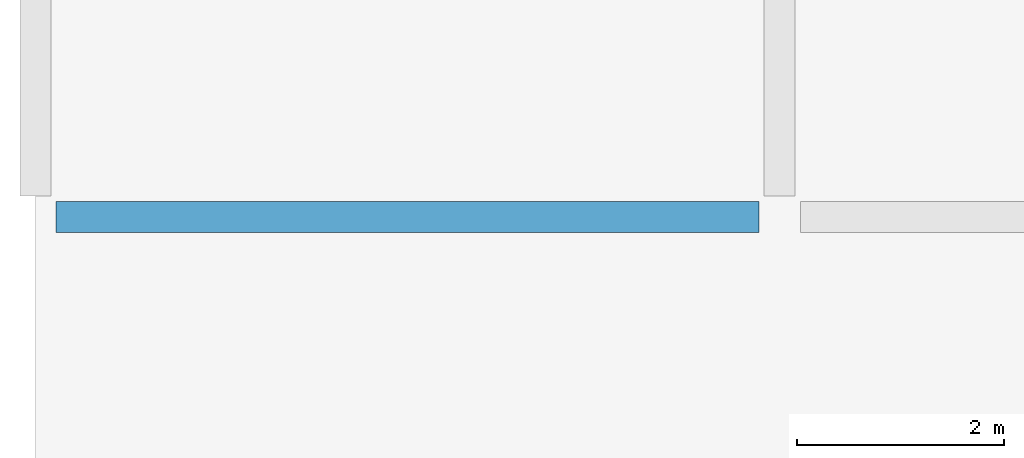
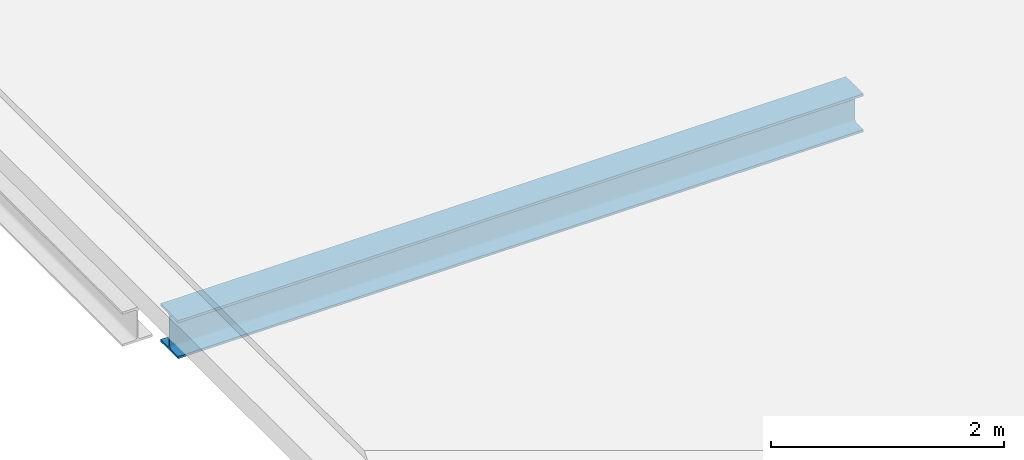
# One storey, part 6 of 397: 1 beam.
"""IFC4 building model written with IfcOpenShell, lengths in metres."""

from ifc_helpers import new_model, si_unit, direction, frame, origin, origin_2d, place, context, subcontext, project, spatial, i_section, extrude, material, material_profile, profile_set, type_object, element, save


model = new_model("IFC4")

# Units and contexts
model_context = context("Model", 3, precision=1e-05, world=origin(), true_north=direction((0.0, 1.0)))
body_context = subcontext(model_context, "Body", "Model", "MODEL_VIEW")
ifc_project = project(units=[si_unit("LENGTHUNIT", "METRE"), si_unit("AREAUNIT", "SQUARE_METRE"), si_unit("VOLUMEUNIT", "CUBIC_METRE"), si_unit("PLANEANGLEUNIT", "RADIAN"), si_unit("MASSUNIT", "GRAM", prefix="KILO")], contexts=[model_context])

# Site, building, storey
site_placement = place(None, origin())
site = spatial("IfcSite", under=ifc_project, at=site_placement, CompositionType="ELEMENT")
building_placement = place(site_placement, origin())
building = spatial("IfcBuilding", under=site, at=building_placement, Name="Qandorah Velis Arena", CompositionType="ELEMENT")
storey_placement = place(building_placement, frame((0.0, 0.0, 27.5)))
storey = spatial("IfcBuildingStorey", under=building, at=storey_placement, Name="RF", CompositionType="ELEMENT", Elevation=27.5)

# Beam
ifc_material = material(Name="Steel S355", Category="steel")
ifc_material_profile = material_profile(ifc_material, i_section(OverallWidth=0.300048828125, OverallDepth=0.39990234375, WebThickness=0.013427734375, FlangeThickness=0.02392578125, FilletRadius=0.027099609375, at=origin_2d()), Name="HEB 400")
ifc_profile_set = profile_set([ifc_material_profile], Name="Steel S355")
beam_type = type_object("IfcBeamType", Name="STR-BM-HEB400", PredefinedType="BEAM", material=ifc_profile_set)
beam_placement = place(storey_placement, frame((0.199951171875, 21.60009765625, -0.419921875), z_axis=(1.0, 0.0, 0.0), x_axis=(0.0, 1.0, 0.0)))
element("IfcBeam", 1, at=beam_placement, inside=storey, type_object=beam_type, Name="Primary floor girder RF X-019", PredefinedType="BEAM", context=body_context, shape_type="SweptSolid", body=[
    extrude(i_section(OverallWidth=0.300048828125, OverallDepth=0.39990234375, WebThickness=0.013427734375, FlangeThickness=0.02392578125, FilletRadius=0.027099609375, at=origin_2d()), origin(), (0.0, 0.0, 1.0), 6.800048828125),
])

save(model, "model.ifc")
